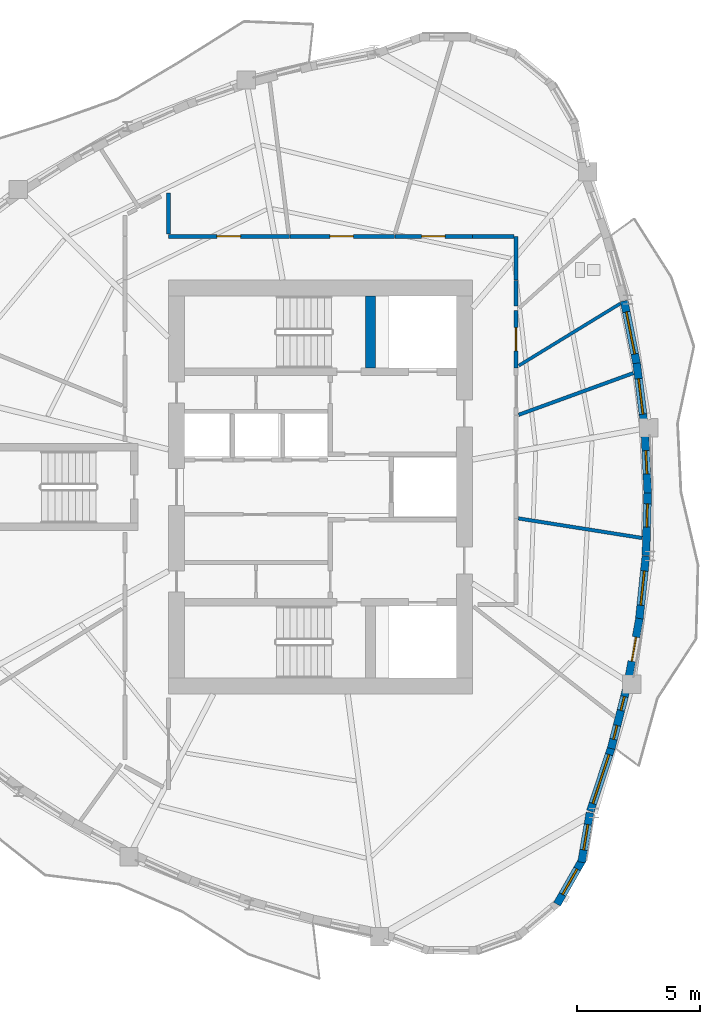
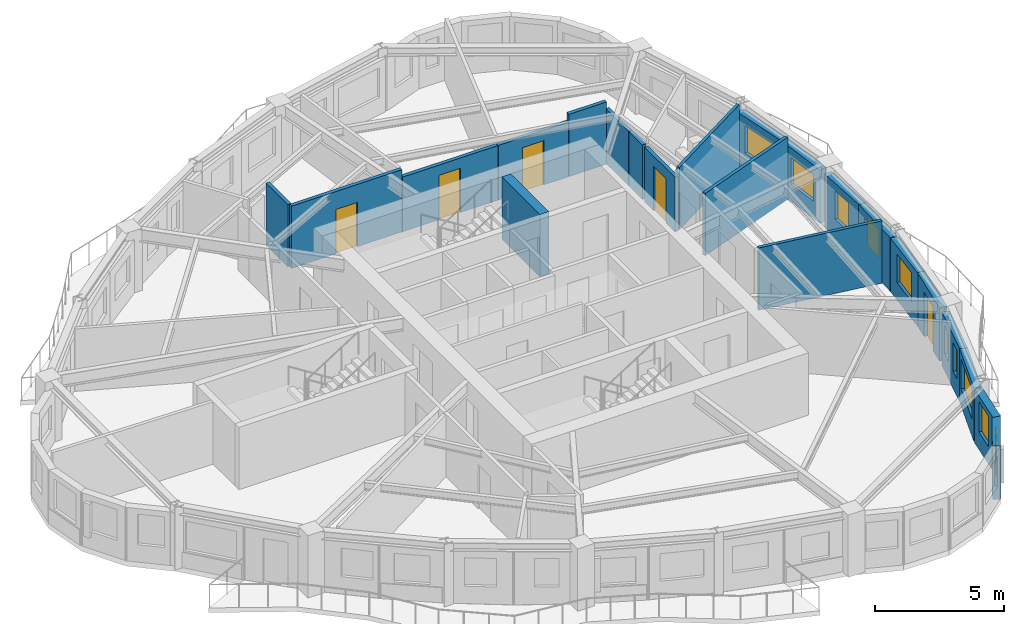
# One storey, part 6 of 12: 22 walls, 10 windows, 5 doors, 15 openings.
"""IFC4 building model written with IfcOpenShell, lengths in metres."""

from ifc_helpers import new_model, si_unit, direction, frame, frame_2d, origin, place, context, subcontext, project, spatial, rectangle, extrude, source, transform, mapped, material, layer, layer_set, type_object, element, fill, save


model = new_model("IFC4")

# Units and contexts
model_context = context("Model", 3, precision=1e-05, world=origin(), true_north=direction((0.0, 1.0)))
body_context = subcontext(model_context, "Body", "Model", "MODEL_VIEW")
ifc_project = project(units=[si_unit("LENGTHUNIT", "METRE"), si_unit("AREAUNIT", "SQUARE_METRE"), si_unit("VOLUMEUNIT", "CUBIC_METRE"), si_unit("PLANEANGLEUNIT", "RADIAN"), si_unit("MASSUNIT", "GRAM", prefix="KILO")], contexts=[model_context])

# Site, building, storey
site_placement = place(None, origin())
site = spatial("IfcSite", under=ifc_project, at=site_placement, CompositionType="ELEMENT")
building_placement = place(site_placement, origin())
building = spatial("IfcBuilding", under=site, at=building_placement, Name="Qafzar Sky-Pleat Residences", CompositionType="ELEMENT")
storey_placement = place(building_placement, frame((0.0, 0.0, 174.60009765625)))
storey = spatial("IfcBuildingStorey", under=building, at=storey_placement, Name="L52", CompositionType="ELEMENT", Elevation=174.60009765625)

# Wall, opening, door
ifc_material_1 = material(Name="Acoustic gypsum plasterboard partition", Category="gypsum")
ifc_layer_1 = layer(ifc_material_1, 0.159912109375)
ifc_layer_set_1 = layer_set([ifc_layer_1], Name="Acoustic gypsum plasterboard partition")
wall_type_1 = type_object("IfcWallType", Name="PART-COR-160", PredefinedType="PARTITIONING", material=ifc_layer_set_1)
wall_1_placement = place(storey_placement, frame((24.14990234375, 36.22998046875, 0.0), z_axis=(0.0, 0.0, 1.0), x_axis=(1.0, 0.0, 0.0)))
wall_1 = element("IfcWall", 1, at=wall_1_placement, inside=storey, type_object=wall_type_1, Name="L52 Partition Wall PART-L52-PW-003", PredefinedType="PARTITIONING", context=body_context, shape_type="SweptSolid", body=[
    extrude(rectangle(XDim=4.93603515625, YDim=0.159912109375, at=frame_2d((2.468017578125, 0.0))), origin(), (0.0, 0.0, 1.0), 2.949951171875),
])
opening_1_placement = place(wall_1_placement, frame((1.98046875, 0.0, 0.0)))
opening_1 = element("IfcOpeningElement", 2, at=opening_1_placement, cuts=wall_1, Name="Opening ID-06", PredefinedType="OPENING", context=body_context, shape_type="SweptSolid", body=[
    extrude(rectangle(XDim=0.9599609375, YDim=2.10009765625, at=frame_2d((0.47998046875, 1.050048828125))), frame((0.0, 0.08984375, 0.0), z_axis=(0.0, -1.0, 0.0), x_axis=(1.0, 0.0, 0.0)), (0.0, 0.0, 1.0), 0.179931640625),
])
ifc_material_2 = material(Name="Timber-faced fire door", Category="wood")
door_type_1 = type_object("IfcDoorType", Name="DR-STD-960", OperationType="NOTDEFINED", PredefinedType="DOOR", material=ifc_material_2)
shared_shape_1 = source(origin(), body_context, "Body", "SweptSolid", [
    extrude(rectangle(XDim=0.9599609375, YDim=2.10009765625, at=frame_2d((0.47998046875, 1.050048828125))), frame((0.0, 0.02490234375, 0.0), z_axis=(0.0, -1.0, 0.0), x_axis=(1.0, 0.0, 0.0)), (0.0, 0.0, 1.0), 0.050048828125),
])
door_1_placement = place(opening_1_placement, origin())
door_1 = element("IfcDoor", 3, at=door_1_placement, inside=storey, type_object=door_type_1, Name="L52 Wellness Yoga Studio Door", OperationType="SINGLE_SWING_LEFT", OverallHeight=2.10009765625, OverallWidth=0.9599609375, PredefinedType="DOOR", context=body_context, shape_type="MappedRepresentation", body=[
    mapped(shared_shape_1, transform((0.0, 0.0, 0.0), x_axis=(1.0, 0.0, 0.0), y_axis=(0.0, 1.0, 0.0), z_axis=(0.0, 0.0, 1.0), scale=1.0)),
])
fill(opening_1, door_1)

wall_2_placement = place(storey_placement, frame((29.10107421875, 36.22998046875, 0.0), z_axis=(0.0, 0.0, 1.0), x_axis=(1.0, 0.0, 0.0)))
wall_2 = element("IfcWall", 4, at=wall_2_placement, inside=storey, type_object=wall_type_1, Name="L52 Partition Wall PART-L52-PW-004", PredefinedType="PARTITIONING", context=body_context, shape_type="SweptSolid", body=[
    extrude(rectangle(XDim=4.280029296875, YDim=0.159912109375, at=frame_2d((2.14013671875, 0.0))), origin(), (0.0, 0.0, 1.0), 2.587890625),
])
opening_2_placement = place(wall_2_placement, frame((1.636962890625, 0.0, 0.0)))
opening_2 = element("IfcOpeningElement", 5, at=opening_2_placement, cuts=wall_2, Name="Opening ID-06", PredefinedType="OPENING", context=body_context, shape_type="SweptSolid", body=[
    extrude(rectangle(XDim=0.9599609375, YDim=2.10009765625, at=frame_2d((0.47998046875, 1.050048828125))), frame((0.0, 0.08984375, 0.0), z_axis=(0.0, -1.0, 0.0), x_axis=(1.0, 0.0, 0.0)), (0.0, 0.0, 1.0), 0.179931640625),
])
door_2_placement = place(opening_2_placement, origin())
door_2 = element("IfcDoor", 6, at=door_2_placement, inside=storey, type_object=door_type_1, Name="L52 Postdoctoral Admin Office Door", OperationType="SINGLE_SWING_RIGHT", OverallHeight=2.10009765625, OverallWidth=0.9599609375, PredefinedType="DOOR", context=body_context, shape_type="MappedRepresentation", body=[
    mapped(shared_shape_1, transform((0.0, 0.0, 0.0), x_axis=(1.0, 0.0, 0.0), y_axis=(0.0, 1.0, 0.0), z_axis=(0.0, 0.0, 1.0), scale=1.0)),
])
fill(opening_2, door_2)

wall_3_placement = place(storey_placement, frame((33.39599609375, 36.22998046875, 0.0), z_axis=(0.0, 0.0, 1.0), x_axis=(1.0, 0.0, 0.0)))
wall_3 = element("IfcWall", 7, at=wall_3_placement, inside=storey, type_object=wall_type_1, Name="L52 Partition Wall PART-L52-PW-008", PredefinedType="PARTITIONING", context=body_context, shape_type="SweptSolid", body=[
    extrude(rectangle(XDim=3.154052734375, YDim=0.159912109375, at=frame_2d((1.5771484375, 0.0))), origin(), (0.0, 0.0, 1.0), 2.587890625),
])
opening_3_placement = place(wall_3_placement, frame((1.08154296875, 0.0, 0.0)))
opening_3 = element("IfcOpeningElement", 8, at=opening_3_placement, cuts=wall_3, Name="Opening ID-06", PredefinedType="OPENING", context=body_context, shape_type="SweptSolid", body=[
    extrude(rectangle(XDim=0.9599609375, YDim=2.10009765625, at=frame_2d((0.47998046875, 1.050048828125))), frame((0.0, 0.08984375, 0.0), z_axis=(0.0, -1.0, 0.0), x_axis=(1.0, 0.0, 0.0)), (0.0, 0.0, 1.0), 0.179931640625),
])
door_3_placement = place(opening_3_placement, origin())
door_3 = element("IfcDoor", 9, at=door_3_placement, inside=storey, type_object=door_type_1, Name="L52 Graduate Desk Workspace Door", OperationType="SINGLE_SWING_RIGHT", OverallHeight=2.10009765625, OverallWidth=0.9599609375, PredefinedType="DOOR", context=body_context, shape_type="MappedRepresentation", body=[
    mapped(shared_shape_1, transform((0.0, 0.0, 0.0), x_axis=(1.0, 0.0, 0.0), y_axis=(0.0, 1.0, 0.0), z_axis=(0.0, 0.0, 1.0), scale=1.0)),
])
fill(opening_3, door_3)

wall_4_placement = place(storey_placement, frame((38.330078125, 33.2060546875, 0.0), z_axis=(0.0, 0.0, 1.0), x_axis=(0.0, -1.0, 0.0)))
wall_4 = element("IfcWall", 10, at=wall_4_placement, inside=storey, type_object=wall_type_1, Name="L52 Partition Wall PART-L52-PW-010", PredefinedType="PARTITIONING", context=body_context, shape_type="SweptSolid", body=[
    extrude(rectangle(XDim=2.343017578125, YDim=0.159912109375, at=frame_2d((1.17138671875, 0.0))), origin(), (0.0, 0.0, 1.0), 2.587890625),
])
opening_4_placement = place(wall_4_placement, frame((0.697509765625, 0.0, 0.0)))
opening_4 = element("IfcOpeningElement", 11, at=opening_4_placement, cuts=wall_4, Name="Opening ID-08", PredefinedType="OPENING", context=body_context, shape_type="SweptSolid", body=[
    extrude(rectangle(XDim=0.949951171875, YDim=2.10009765625, at=frame_2d((0.47509765625, 1.050048828125))), frame((0.0, 0.08984375, 0.0), z_axis=(0.0, -1.0, 0.0), x_axis=(1.0, 0.0, 0.0)), (0.0, 0.0, 1.0), 0.179931640625),
])
door_type_2 = type_object("IfcDoorType", Name="DR-AWC-950", OperationType="NOTDEFINED", PredefinedType="DOOR", material=ifc_material_2)
shared_shape_2 = source(origin(), body_context, "Body", "SweptSolid", [
    extrude(rectangle(XDim=0.949951171875, YDim=2.10009765625, at=frame_2d((0.47509765625, 1.050048828125))), frame((0.0, 0.02490234375, 0.0), z_axis=(0.0, -1.0, 0.0), x_axis=(1.0, 0.0, 0.0)), (0.0, 0.0, 1.0), 0.050048828125),
])
door_4_placement = place(opening_4_placement, origin())
door_4 = element("IfcDoor", 12, at=door_4_placement, inside=storey, type_object=door_type_2, Name="L52 Accessible Shared Washroom Door", OperationType="SINGLE_SWING_LEFT", OverallHeight=2.10009765625, OverallWidth=0.949951171875, PredefinedType="DOOR", context=body_context, shape_type="MappedRepresentation", body=[
    mapped(shared_shape_2, transform((0.0, 0.0, 0.0), x_axis=(1.0, 0.0, 0.0), y_axis=(0.0, 1.0, 0.0), z_axis=(0.0, 0.0, 1.0), scale=1.0)),
])
fill(opening_4, door_4)

# Walls
wall_5_placement = place(storey_placement, frame((38.330078125, 34.449951171875, 0.0), z_axis=(0.0, 0.0, 1.0), x_axis=(0.0, 1.0, 0.0)))
element("IfcWall", 13, at=wall_5_placement, inside=storey, type_object=wall_type_1, Name="L52 Partition Wall PART-L52-PW-026", PredefinedType="PARTITIONING", context=body_context, shape_type="SweptSolid", body=[
    extrude(rectangle(XDim=1.780029296875, YDim=0.159912109375, at=frame_2d((0.89013671875, 0.0))), origin(), (0.0, 0.0, 1.0), 2.587890625),
])
wall_6_placement = place(storey_placement, frame((24.14990234375, 36.318115234375, 0.0), z_axis=(0.0, 0.0, 1.0), x_axis=(0.0, 1.0, 0.0)))
element("IfcWall", 14, at=wall_6_placement, inside=storey, type_object=wall_type_1, Name="L52 Partition Wall PART-L52-PW-028", PredefinedType="PARTITIONING", context=body_context, shape_type="SweptSolid", body=[
    extrude(rectangle(XDim=1.678955078125, YDim=0.159912109375, at=frame_2d((0.83935546875, 0.0))), origin(), (0.0, 0.0, 1.0), 2.949951171875),
])
wall_7_placement = place(storey_placement, frame((36.56494140625, 36.22998046875, 0.0), z_axis=(0.0, 0.0, 1.0), x_axis=(1.0, 0.0, 0.0)))
element("IfcWall", 15, at=wall_7_placement, inside=storey, type_object=wall_type_1, Name="L52 Partition Wall PART-L52-PW-029", PredefinedType="PARTITIONING", context=body_context, shape_type="SweptSolid", body=[
    extrude(rectangle(XDim=1.677001953125, YDim=0.159912109375, at=frame_2d((0.83837890625, 0.0))), origin(), (0.0, 0.0, 1.0), 2.949951171875),
])
wall_8_placement = place(storey_placement, frame((38.330078125, 33.388427734375, 0.0), z_axis=(0.0, 0.0, 1.0), x_axis=(0.0, 1.0, 0.0)))
element("IfcWall", 16, at=wall_8_placement, inside=storey, type_object=wall_type_1, Name="L52 Partition Wall PART-L52-PW-031", PredefinedType="PARTITIONING", context=body_context, shape_type="SweptSolid", body=[
    extrude(rectangle(XDim=1.046630859375, YDim=0.159912109375, at=frame_2d((0.5234375, 0.0))), origin(), (0.0, 0.0, 1.0), 2.587890625),
])
ifc_layer_2 = layer(ifc_material_1, 0.14501953125)
ifc_layer_set_2 = layer_set([ifc_layer_2], Name="Acoustic gypsum plasterboard partition")
wall_type_2 = type_object("IfcWallType", Name="PART-UNIT-145", PredefinedType="PARTITIONING", material=ifc_layer_set_2)
wall_9_placement = place(storey_placement, frame((38.42919921875, 24.71923828125, 0.0), z_axis=(0.0, 0.0, 1.0), x_axis=(0.98767528873, -0.156516849034, 0.0)))
element("IfcWall", 17, at=wall_9_placement, inside=storey, type_object=wall_type_2, Name="L52 Partition Wall PART-L52-PW-019", PredefinedType="PARTITIONING", context=body_context, shape_type="SweptSolid", body=[
    extrude(rectangle(XDim=5.111572265625, YDim=0.14501953125, at=frame_2d((2.5556640625, 0.0))), origin(), (0.0, 0.0, 1.0), 2.949951171875),
])
wall_10_placement = place(storey_placement, frame((38.4423828125, 28.94580078125, 0.0), z_axis=(0.0, 0.0, 1.0), x_axis=(0.939673102303, 0.342073765155, 0.0)))
element("IfcWall", 18, at=wall_10_placement, inside=storey, type_object=wall_type_2, Name="L52 Partition Wall PART-L52-PW-020", PredefinedType="PARTITIONING", context=body_context, shape_type="SweptSolid", body=[
    extrude(rectangle(XDim=4.978759765625, YDim=0.14501953125, at=frame_2d((2.4892578125, 0.0))), origin(), (0.0, 0.0, 1.0), 2.949951171875),
])
ifc_material_3 = material(Name="Moisture-resistant gypsum partition", Category="gypsum")
ifc_layer_3 = layer(ifc_material_3, 0.1298828125)
ifc_layer_set_3 = layer_set([ifc_layer_3], Name="Moisture-resistant gypsum partition")
wall_type_3 = type_object("IfcWallType", Name="PART-WET-130", PredefinedType="PARTITIONING", material=ifc_layer_set_3)
wall_11_placement = place(storey_placement, frame((38.45068359375, 30.954833984375, 0.0), z_axis=(0.0, 0.0, 1.0), x_axis=(0.85307660207, 0.521785694515, 0.0)))
element("IfcWall", 19, at=wall_11_placement, inside=storey, type_object=wall_type_3, Name="L52 Partition Wall PART-L52-PW-021", PredefinedType="PARTITIONING", context=body_context, shape_type="SweptSolid", body=[
    extrude(rectangle(XDim=4.853515625, YDim=0.1298828125, at=frame_2d((2.4267578125, 0.0))), origin(), (0.0, 0.0, 1.0), 2.949951171875),
])

# Wall, opening, window
ifc_material_4 = material(Name="Precast concrete C40/50 with honed Riyadh limestone", Category="concrete")
ifc_layer_4 = layer(ifc_material_4, 0.320068359375)
ifc_layer_set_4 = layer_set([ifc_layer_4], Name="Precast concrete C40/50 with honed Riyadh limestone")
wall_type_4 = type_object("IfcWallType", Name="WALL-EXT-320", PredefinedType="SOLIDWALL", material=ifc_layer_set_4)
wall_12_placement = place(storey_placement, frame((40.0078125, 8.977294921875, 0.0), z_axis=(0.0, 0.0, 1.0), x_axis=(0.495802305102, 0.868435417435, 0.0)))
wall_12 = element("IfcWall", 20, at=wall_12_placement, inside=storey, type_object=wall_type_4, Name="L52 Limestone Facade Wall 21", PredefinedType="SOLIDWALL", context=body_context, shape_type="SweptSolid", body=[
    extrude(rectangle(XDim=2.109130859375, YDim=0.320068359375, at=frame_2d((1.0546875, 0.0))), origin(), (0.0, 0.0, 1.0), 2.52978515625),
])
opening_5_placement = place(wall_12_placement, frame((0.454345703125, 0.0, 0.820068359375)))
opening_5 = element("IfcOpeningElement", 21, at=opening_5_placement, cuts=wall_12, Name="Opening WN-05", PredefinedType="OPENING", context=body_context, shape_type="SweptSolid", body=[
    extrude(rectangle(XDim=1.199951171875, YDim=1.449951171875, at=frame_2d((0.60009765625, 0.72509765625))), frame((0.0, 0.169921875, 0.0), z_axis=(0.0, -1.0, 0.0), x_axis=(1.0, 0.0, 0.0)), (0.0, 0.0, 1.0), 0.340087890625),
])
ifc_material_5 = material(Name="Solar-control low-E glass in bronze aluminium frame", Category="glass")
window_type_1 = type_object("IfcWindowType", Name="WIN-05", PartitioningType="SINGLE_PANEL", PredefinedType="WINDOW", material=ifc_material_5)
shared_shape_3 = source(origin(), body_context, "Body", "SweptSolid", [
    extrude(rectangle(XDim=1.199951171875, YDim=1.449951171875, at=frame_2d((0.60009765625, 0.72509765625))), frame((0.0, 0.030029296875, 0.0), z_axis=(0.0, -1.0, 0.0), x_axis=(1.0, 0.0, 0.0)), (0.0, 0.0, 1.0), 0.06005859375),
])
window_1_placement = place(opening_5_placement, origin())
window_1 = element("IfcWindow", 22, at=window_1_placement, inside=storey, type_object=window_type_1, Name="L52 Punched Facade Window 21", OverallHeight=1.449951171875, OverallWidth=1.199951171875, PartitioningType="SINGLE_PANEL", PredefinedType="WINDOW", context=body_context, shape_type="MappedRepresentation", body=[
    mapped(shared_shape_3, transform((0.0, 0.0, 0.0), x_axis=(1.0, 0.0, 0.0), y_axis=(0.0, 1.0, 0.0), z_axis=(0.0, 0.0, 1.0), scale=1.0)),
])
fill(opening_5, window_1)

wall_13_placement = place(storey_placement, frame((41.009521484375, 10.685546875, 0.0), z_axis=(0.0, 0.0, 1.0), x_axis=(0.165595781399, 0.986193711794, 0.0)))
wall_13 = element("IfcWall", 23, at=wall_13_placement, inside=storey, type_object=wall_type_4, Name="L52 Limestone Facade Wall 22", PredefinedType="SOLIDWALL", context=body_context, shape_type="SweptSolid", body=[
    extrude(rectangle(XDim=2.05078125, YDim=0.320068359375, at=frame_2d((1.025390625, 0.0))), origin(), (0.0, 0.0, 1.0), 2.52978515625),
])
opening_6_placement = place(wall_13_placement, frame((0.510498046875, 0.0, 0.820068359375)))
opening_6 = element("IfcOpeningElement", 24, at=opening_6_placement, cuts=wall_13, Name="Opening WN-06", PredefinedType="OPENING", context=body_context, shape_type="SweptSolid", body=[
    extrude(rectangle(XDim=1.050048828125, YDim=1.449951171875, at=frame_2d((0.52490234375, 0.72509765625))), frame((0.0, 0.169921875, 0.0), z_axis=(0.0, -1.0, 0.0), x_axis=(1.0, 0.0, 0.0)), (0.0, 0.0, 1.0), 0.340087890625),
])
window_type_2 = type_object("IfcWindowType", Name="WIN-06", PartitioningType="SINGLE_PANEL", PredefinedType="WINDOW", material=ifc_material_5)
shared_shape_4 = source(origin(), body_context, "Body", "SweptSolid", [
    extrude(rectangle(XDim=1.050048828125, YDim=1.449951171875, at=frame_2d((0.52490234375, 0.72509765625))), frame((0.0, 0.030029296875, 0.0), z_axis=(0.0, -1.0, 0.0), x_axis=(1.0, 0.0, 0.0)), (0.0, 0.0, 1.0), 0.06005859375),
])
window_2_placement = place(opening_6_placement, origin())
window_2 = element("IfcWindow", 25, at=window_2_placement, inside=storey, type_object=window_type_2, Name="L52 Punched Facade Window 22", OverallHeight=1.449951171875, OverallWidth=1.050048828125, PartitioningType="SINGLE_PANEL", PredefinedType="WINDOW", context=body_context, shape_type="MappedRepresentation", body=[
    mapped(shared_shape_4, transform((0.0, 0.0, 0.0), x_axis=(1.0, 0.0, 0.0), y_axis=(0.0, 1.0, 0.0), z_axis=(0.0, 0.0, 1.0), scale=1.0)),
])
fill(opening_6, window_2)

wall_14_placement = place(storey_placement, frame((41.36474609375, 12.7705078125, 0.0), z_axis=(0.0, 0.0, 1.0), x_axis=(0.314358373976, 0.949304383594, 0.0)))
wall_14 = element("IfcWall", 26, at=wall_14_placement, inside=storey, type_object=wall_type_4, Name="L52 Limestone Facade Wall 23", PredefinedType="SOLIDWALL", context=body_context, shape_type="SweptSolid", body=[
    extrude(rectangle(XDim=2.78271484375, YDim=0.320068359375, at=frame_2d((1.391357421875, 0.0))), origin(), (0.0, 0.0, 1.0), 2.52978515625),
])
opening_7_placement = place(wall_14_placement, frame((0.331298828125, 0.0, 0.820068359375)))
opening_7 = element("IfcOpeningElement", 27, at=opening_7_placement, cuts=wall_14, Name="Opening WN-07", PredefinedType="OPENING", context=body_context, shape_type="SweptSolid", body=[
    extrude(rectangle(XDim=2.10009765625, YDim=1.39990234375, at=frame_2d((1.050048828125, 0.699951171875))), frame((0.0, 0.169921875, 0.0), z_axis=(0.0, -1.0, 0.0), x_axis=(1.0, 0.0, 0.0)), (0.0, 0.0, 1.0), 0.340087890625),
])
window_type_3 = type_object("IfcWindowType", Name="WIN-07", PartitioningType="DOUBLE_PANEL_VERTICAL", PredefinedType="WINDOW", material=ifc_material_5)
shared_shape_5 = source(origin(), body_context, "Body", "SweptSolid", [
    extrude(rectangle(XDim=2.10009765625, YDim=1.39990234375, at=frame_2d((1.050048828125, 0.699951171875))), frame((0.0, 0.030029296875, 0.0), z_axis=(0.0, -1.0, 0.0), x_axis=(1.0, 0.0, 0.0)), (0.0, 0.0, 1.0), 0.06005859375),
])
window_3_placement = place(opening_7_placement, origin())
window_3 = element("IfcWindow", 28, at=window_3_placement, inside=storey, type_object=window_type_3, Name="L52 Punched Facade Window 23", OverallHeight=1.39990234375, OverallWidth=2.10009765625, PartitioningType="SINGLE_PANEL", PredefinedType="WINDOW", context=body_context, shape_type="MappedRepresentation", body=[
    mapped(shared_shape_5, transform((0.0, 0.0, 0.0), x_axis=(1.0, 0.0, 0.0), y_axis=(0.0, 1.0, 0.0), z_axis=(0.0, 0.0, 1.0), scale=1.0)),
])
fill(opening_7, window_3)

# Wall, openings, windows
wall_15_placement = place(storey_placement, frame((42.215087890625, 15.32861328125, 0.0), z_axis=(0.0, 0.0, 1.0), x_axis=(0.247653539834, 0.968848659083, 0.0)))
wall_15 = element("IfcWall", 29, at=wall_15_placement, inside=storey, type_object=wall_type_4, Name="L52 Limestone Facade Wall 24", PredefinedType="SOLIDWALL", context=body_context, shape_type="SweptSolid", body=[
    extrude(rectangle(XDim=2.579833984375, YDim=0.320068359375, at=frame_2d((1.2900390625, 0.0))), origin(), (0.0, 0.0, 1.0), 2.52978515625),
])
opening_8_placement = place(wall_15_placement, frame((0.39013671875, 0.0, 0.820068359375)))
opening_8 = element("IfcOpeningElement", 30, at=opening_8_placement, cuts=wall_15, Name="Opening WN-17", PredefinedType="OPENING", context=body_context, shape_type="SweptSolid", body=[
    extrude(rectangle(XDim=0.580078125, YDim=1.35009765625, at=frame_2d((0.2900390625, 0.675048828125))), frame((0.0, 0.169921875, 0.0), z_axis=(0.0, -1.0, 0.0), x_axis=(1.0, 0.0, 0.0)), (0.0, 0.0, 1.0), 0.340087890625),
])
opening_9_placement = place(wall_15_placement, frame((1.60498046875, 0.0, 0.820068359375)))
opening_9 = element("IfcOpeningElement", 31, at=opening_9_placement, cuts=wall_15, Name="Opening WN-17", PredefinedType="OPENING", context=body_context, shape_type="SweptSolid", body=[
    extrude(rectangle(XDim=0.580078125, YDim=1.35009765625, at=frame_2d((0.2900390625, 0.675048828125))), frame((0.0, 0.169921875, 0.0), z_axis=(0.0, -1.0, 0.0), x_axis=(1.0, 0.0, 0.0)), (0.0, 0.0, 1.0), 0.340087890625),
])
window_type_4 = type_object("IfcWindowType", Name="WIN-17", PartitioningType="SINGLE_PANEL", PredefinedType="WINDOW", material=ifc_material_5)
shared_shape_6 = source(origin(), body_context, "Body", "SweptSolid", [
    extrude(rectangle(XDim=0.580078125, YDim=1.35009765625, at=frame_2d((0.2900390625, 0.675048828125))), frame((0.0, 0.030029296875, 0.0), z_axis=(0.0, -1.0, 0.0), x_axis=(1.0, 0.0, 0.0)), (0.0, 0.0, 1.0), 0.06005859375),
])
window_4_placement = place(opening_8_placement, origin())
window_4 = element("IfcWindow", 32, at=window_4_placement, inside=storey, type_object=window_type_4, Name="L52 Punched Facade Window 24", OverallHeight=1.35009765625, OverallWidth=0.580078125, PartitioningType="SINGLE_PANEL", PredefinedType="WINDOW", context=body_context, shape_type="MappedRepresentation", body=[
    mapped(shared_shape_6, transform((0.0, 0.0, 0.0), x_axis=(1.0, 0.0, 0.0), y_axis=(0.0, 1.0, 0.0), z_axis=(0.0, 0.0, 1.0), scale=1.0)),
])
fill(opening_8, window_4)
window_5_placement = place(opening_9_placement, origin())
window_5 = element("IfcWindow", 33, at=window_5_placement, inside=storey, type_object=window_type_4, Name="L52 Punched Facade Window 24-2", OverallHeight=1.35009765625, OverallWidth=0.580078125, PartitioningType="SINGLE_PANEL", PredefinedType="WINDOW", context=body_context, shape_type="MappedRepresentation", body=[
    mapped(shared_shape_6, transform((0.0, 0.0, 0.0), x_axis=(1.0, 0.0, 0.0), y_axis=(0.0, 1.0, 0.0), z_axis=(0.0, 0.0, 1.0), scale=1.0)),
])
fill(opening_9, window_5)

# Wall, opening, door
wall_16_placement = place(storey_placement, frame((42.921875, 18.13916015625, 0.0), z_axis=(0.0, 0.0, 1.0), x_axis=(0.177063467193, 0.984199435371, 0.0)))
wall_16 = element("IfcWall", 34, at=wall_16_placement, inside=storey, type_object=wall_type_4, Name="L52 Limestone Facade Wall 25", PredefinedType="SOLIDWALL", context=body_context, shape_type="SweptSolid", body=[
    extrude(rectangle(XDim=2.53564453125, YDim=0.320068359375, at=frame_2d((1.267822265625, 0.0))), origin(), (0.0, 0.0, 1.0), 2.52978515625),
])
opening_10_placement = place(wall_16_placement, frame((0.762939453125, 0.0, 0.0)))
opening_10 = element("IfcOpeningElement", 35, at=opening_10_placement, cuts=wall_16, Name="Opening ED-05", PredefinedType="OPENING", context=body_context, shape_type="SweptSolid", body=[
    extrude(rectangle(XDim=1.0, YDim=2.10009765625, at=frame_2d((0.5, 1.050048828125))), frame((0.0, 0.169921875, 0.0), z_axis=(0.0, -1.0, 0.0), x_axis=(1.0, 0.0, 0.0)), (0.0, 0.0, 1.0), 0.340087890625),
])
ifc_material_6 = material(Name="Glazed bronze aluminium door", Category="aluminium")
door_type_3 = type_object("IfcDoorType", Name="DR-BAL-1000", OperationType="NOTDEFINED", PredefinedType="DOOR", material=ifc_material_6)
shared_shape_7 = source(origin(), body_context, "Body", "SweptSolid", [
    extrude(rectangle(XDim=1.0, YDim=2.10009765625, at=frame_2d((0.5, 1.050048828125))), frame((0.0, 0.02490234375, 0.0), z_axis=(0.0, -1.0, 0.0), x_axis=(1.0, 0.0, 0.0)), (0.0, 0.0, 1.0), 0.050048828125),
])
door_5_placement = place(opening_10_placement, origin())
door_5 = element("IfcDoor", 36, at=door_5_placement, inside=storey, type_object=door_type_3, Name="L52 Glazed Balcony Door 1", OperationType="SINGLE_SWING_LEFT", OverallHeight=2.10009765625, OverallWidth=1.0, PredefinedType="DOOR", context=body_context, shape_type="MappedRepresentation", body=[
    mapped(shared_shape_7, transform((0.0, 0.0, 0.0), x_axis=(1.0, 0.0, 0.0), y_axis=(0.0, 1.0, 0.0), z_axis=(0.0, 0.0, 1.0), scale=1.0)),
])
fill(opening_10, door_5)

# Wall, opening, window
wall_17_placement = place(storey_placement, frame((43.3583984375, 20.5478515625, 0.0), z_axis=(0.0, 0.0, 1.0), x_axis=(0.103697188692, 0.994608914628, 0.0)))
wall_17 = element("IfcWall", 37, at=wall_17_placement, inside=storey, type_object=wall_type_4, Name="L52 Limestone Facade Wall 26", PredefinedType="SOLIDWALL", context=body_context, shape_type="SweptSolid", body=[
    extrude(rectangle(XDim=2.651123046875, YDim=0.320068359375, at=frame_2d((1.32568359375, 0.0))), origin(), (0.0, 0.0, 1.0), 2.52978515625),
])
opening_11_placement = place(wall_17_placement, frame((0.635498046875, 0.0, 0.820068359375)))
opening_11 = element("IfcOpeningElement", 38, at=opening_11_placement, cuts=wall_17, Name="Opening WN-10", PredefinedType="OPENING", context=body_context, shape_type="SweptSolid", body=[
    extrude(rectangle(XDim=1.39990234375, YDim=1.35009765625, at=frame_2d((0.699951171875, 0.675048828125))), frame((0.0, 0.169921875, 0.0), z_axis=(0.0, -1.0, 0.0), x_axis=(1.0, 0.0, 0.0)), (0.0, 0.0, 1.0), 0.340087890625),
])
window_type_5 = type_object("IfcWindowType", Name="WIN-10", PartitioningType="SINGLE_PANEL", PredefinedType="WINDOW", material=ifc_material_5)
shared_shape_8 = source(origin(), body_context, "Body", "SweptSolid", [
    extrude(rectangle(XDim=1.39990234375, YDim=1.35009765625, at=frame_2d((0.699951171875, 0.675048828125))), frame((0.0, 0.030029296875, 0.0), z_axis=(0.0, -1.0, 0.0), x_axis=(1.0, 0.0, 0.0)), (0.0, 0.0, 1.0), 0.06005859375),
])
window_6_placement = place(opening_11_placement, origin())
window_6 = element("IfcWindow", 39, at=window_6_placement, inside=storey, type_object=window_type_5, Name="L52 Punched Facade Window 26", OverallHeight=1.35009765625, OverallWidth=1.39990234375, PartitioningType="SINGLE_PANEL", PredefinedType="WINDOW", context=body_context, shape_type="MappedRepresentation", body=[
    mapped(shared_shape_8, transform((0.0, 0.0, 0.0), x_axis=(1.0, 0.0, 0.0), y_axis=(0.0, 1.0, 0.0), z_axis=(0.0, 0.0, 1.0), scale=1.0)),
])
fill(opening_11, window_6)

wall_18_placement = place(storey_placement, frame((43.635009765625, 23.21240234375, 0.0), z_axis=(0.0, 0.0, 1.0), x_axis=(0.028250395457, 0.999600877929, 0.0)))
wall_18 = element("IfcWall", 40, at=wall_18_placement, inside=storey, type_object=wall_type_4, Name="L52 Limestone Facade Wall 27", PredefinedType="SOLIDWALL", context=body_context, shape_type="SweptSolid", body=[
    extrude(rectangle(XDim=2.6357421875, YDim=0.320068359375, at=frame_2d((1.31787109375, 0.0))), origin(), (0.0, 0.0, 1.0), 2.52978515625),
])
opening_12_placement = place(wall_18_placement, frame((1.152099609375, 0.0, 0.820068359375)))
opening_12 = element("IfcOpeningElement", 41, at=opening_12_placement, cuts=wall_18, Name="Opening WN-12", PredefinedType="OPENING", context=body_context, shape_type="SweptSolid", body=[
    extrude(rectangle(XDim=0.949951171875, YDim=1.35009765625, at=frame_2d((0.47509765625, 0.675048828125))), frame((0.0, 0.169921875, 0.0), z_axis=(0.0, -1.0, 0.0), x_axis=(1.0, 0.0, 0.0)), (0.0, 0.0, 1.0), 0.340087890625),
])
window_type_6 = type_object("IfcWindowType", Name="WIN-12", PartitioningType="SINGLE_PANEL", PredefinedType="WINDOW", material=ifc_material_5)
shared_shape_9 = source(origin(), body_context, "Body", "SweptSolid", [
    extrude(rectangle(XDim=0.949951171875, YDim=1.35009765625, at=frame_2d((0.47509765625, 0.675048828125))), frame((0.0, 0.030029296875, 0.0), z_axis=(0.0, -1.0, 0.0), x_axis=(1.0, 0.0, 0.0)), (0.0, 0.0, 1.0), 0.06005859375),
])
window_7_placement = place(opening_12_placement, origin())
window_7 = element("IfcWindow", 42, at=window_7_placement, inside=storey, type_object=window_type_6, Name="L52 Punched Facade Window 27-2", OverallHeight=1.35009765625, OverallWidth=0.949951171875, PartitioningType="SINGLE_PANEL", PredefinedType="WINDOW", context=body_context, shape_type="MappedRepresentation", body=[
    mapped(shared_shape_9, transform((0.0, 0.0, 0.0), x_axis=(1.0, 0.0, 0.0), y_axis=(0.0, 1.0, 0.0), z_axis=(0.0, 0.0, 1.0), scale=1.0)),
])
fill(opening_12, window_7)

wall_19_placement = place(storey_placement, frame((43.71044921875, 25.759033203125, 0.0), z_axis=(0.0, 0.0, 1.0), x_axis=(-0.047728119822, 0.998860363904, 0.0)))
wall_19 = element("IfcWall", 43, at=wall_19_placement, inside=storey, type_object=wall_type_4, Name="L52 Limestone Facade Wall 28", PredefinedType="SOLIDWALL", context=body_context, shape_type="SweptSolid", body=[
    extrude(rectangle(XDim=2.4912109375, YDim=0.320068359375, at=frame_2d((1.24560546875, 0.0))), origin(), (0.0, 0.0, 1.0), 2.52978515625),
])
opening_13_placement = place(wall_19_placement, frame((0.775390625, 0.0, 0.820068359375)))
opening_13 = element("IfcOpeningElement", 44, at=opening_13_placement, cuts=wall_19, Name="Opening WN-12", PredefinedType="OPENING", context=body_context, shape_type="SweptSolid", body=[
    extrude(rectangle(XDim=0.949951171875, YDim=1.35009765625, at=frame_2d((0.47509765625, 0.675048828125))), frame((0.0, 0.169921875, 0.0), z_axis=(0.0, -1.0, 0.0), x_axis=(1.0, 0.0, 0.0)), (0.0, 0.0, 1.0), 0.340087890625),
])
window_8_placement = place(opening_13_placement, origin())
window_8 = element("IfcWindow", 45, at=window_8_placement, inside=storey, type_object=window_type_6, Name="L52 Punched Facade Window 28", OverallHeight=1.35009765625, OverallWidth=0.949951171875, PartitioningType="SINGLE_PANEL", PredefinedType="WINDOW", context=body_context, shape_type="MappedRepresentation", body=[
    mapped(shared_shape_9, transform((0.0, 0.0, 0.0), x_axis=(1.0, 0.0, 0.0), y_axis=(0.0, 1.0, 0.0), z_axis=(0.0, 0.0, 1.0), scale=1.0)),
])
fill(opening_13, window_8)

wall_20_placement = place(storey_placement, frame((43.564453125, 28.563720703125, 0.0), z_axis=(0.0, 0.0, 1.0), x_axis=(-0.122859489431, 0.992424075613, 0.0)))
wall_20 = element("IfcWall", 46, at=wall_20_placement, inside=storey, type_object=wall_type_4, Name="L52 Limestone Facade Wall 29", PredefinedType="SOLIDWALL", context=body_context, shape_type="SweptSolid", body=[
    extrude(rectangle(XDim=2.505859375, YDim=0.320068359375, at=frame_2d((1.2529296875, 0.0))), origin(), (0.0, 0.0, 1.0), 2.52978515625),
])
opening_14_placement = place(wall_20_placement, frame((0.416015625, 0.0, 0.820068359375)))
opening_14 = element("IfcOpeningElement", 47, at=opening_14_placement, cuts=wall_20, Name="Opening WN-15", PredefinedType="OPENING", context=body_context, shape_type="SweptSolid", body=[
    extrude(rectangle(XDim=1.449951171875, YDim=1.25, at=frame_2d((0.72509765625, 0.625))), frame((0.0, 0.169921875, 0.0), z_axis=(0.0, -1.0, 0.0), x_axis=(1.0, 0.0, 0.0)), (0.0, 0.0, 1.0), 0.340087890625),
])
window_type_7 = type_object("IfcWindowType", Name="WIN-15", PartitioningType="SINGLE_PANEL", PredefinedType="WINDOW", material=ifc_material_5)
shared_shape_10 = source(origin(), body_context, "Body", "SweptSolid", [
    extrude(rectangle(XDim=1.449951171875, YDim=1.25, at=frame_2d((0.72509765625, 0.625))), frame((0.0, 0.030029296875, 0.0), z_axis=(0.0, -1.0, 0.0), x_axis=(1.0, 0.0, 0.0)), (0.0, 0.0, 1.0), 0.06005859375),
])
window_9_placement = place(opening_14_placement, origin())
window_9 = element("IfcWindow", 48, at=window_9_placement, inside=storey, type_object=window_type_7, Name="L52 Punched Facade Window 29", OverallHeight=1.25, OverallWidth=1.449951171875, PartitioningType="SINGLE_PANEL", PredefinedType="WINDOW", context=body_context, shape_type="MappedRepresentation", body=[
    mapped(shared_shape_10, transform((0.0, 0.0, 0.0), x_axis=(1.0, 0.0, 0.0), y_axis=(0.0, 1.0, 0.0), z_axis=(0.0, 0.0, 1.0), scale=1.0)),
])
fill(opening_14, window_9)

wall_21_placement = place(storey_placement, frame((43.2705078125, 30.9638671875, 0.0), z_axis=(0.0, 0.0, 1.0), x_axis=(-0.196151159504, 0.980573670167, 0.0)))
wall_21 = element("IfcWall", 49, at=wall_21_placement, inside=storey, type_object=wall_type_4, Name="L52 Limestone Facade Wall 30", PredefinedType="SOLIDWALL", context=body_context, shape_type="SweptSolid", body=[
    extrude(rectangle(XDim=2.680908203125, YDim=0.320068359375, at=frame_2d((1.34033203125, 0.0))), origin(), (0.0, 0.0, 1.0), 2.52978515625),
])
opening_15_placement = place(wall_21_placement, frame((0.47265625, 0.0, 0.820068359375)))
opening_15 = element("IfcOpeningElement", 50, at=opening_15_placement, cuts=wall_21, Name="Opening WN-14", PredefinedType="OPENING", context=body_context, shape_type="SweptSolid", body=[
    extrude(rectangle(XDim=1.75, YDim=1.300048828125, at=frame_2d((0.875, 0.64990234375))), frame((0.0, 0.169921875, 0.0), z_axis=(0.0, -1.0, 0.0), x_axis=(1.0, 0.0, 0.0)), (0.0, 0.0, 1.0), 0.340087890625),
])
window_type_8 = type_object("IfcWindowType", Name="WIN-14", PartitioningType="DOUBLE_PANEL_VERTICAL", PredefinedType="WINDOW", material=ifc_material_5)
shared_shape_11 = source(origin(), body_context, "Body", "SweptSolid", [
    extrude(rectangle(XDim=1.75, YDim=1.300048828125, at=frame_2d((0.875, 0.64990234375))), frame((0.0, 0.030029296875, 0.0), z_axis=(0.0, -1.0, 0.0), x_axis=(1.0, 0.0, 0.0)), (0.0, 0.0, 1.0), 0.06005859375),
])
window_10_placement = place(opening_15_placement, origin())
window_10 = element("IfcWindow", 51, at=window_10_placement, inside=storey, type_object=window_type_8, Name="L52 Punched Facade Window 30", OverallHeight=1.300048828125, OverallWidth=1.75, PartitioningType="SINGLE_PANEL", PredefinedType="WINDOW", context=body_context, shape_type="MappedRepresentation", body=[
    mapped(shared_shape_11, transform((0.0, 0.0, 0.0), x_axis=(1.0, 0.0, 0.0), y_axis=(0.0, 1.0, 0.0), z_axis=(0.0, 0.0, 1.0), scale=1.0)),
])
fill(opening_15, window_10)

# Wall
ifc_material_7 = material(Name="Concrete C60/75", Category="concrete")
ifc_layer_5 = layer(ifc_material_7, 0.39990234375)
ifc_layer_set_5 = layer_set([ifc_layer_5], Name="Concrete C60/75")
wall_type_5 = type_object("IfcWallType", Name="WALL-SHEAR-400", PredefinedType="SHEAR", material=ifc_layer_set_5)
wall_22_placement = place(storey_placement, frame((32.39990234375, 30.85009765625, 0.0), z_axis=(0.0, 0.0, 1.0), x_axis=(0.0, 1.0, 0.0)))
element("IfcWall", 52, at=wall_22_placement, inside=storey, type_object=wall_type_5, Name="L52 Stair ST2 East Dividing Wall", PredefinedType="SHEAR", context=body_context, shape_type="SweptSolid", body=[
    extrude(rectangle(XDim=2.949951171875, YDim=0.39990234375, at=frame_2d((1.47509765625, 0.0))), origin(), (0.0, 0.0, 1.0), 2.949951171875),
])

save(model, "model.ifc")
